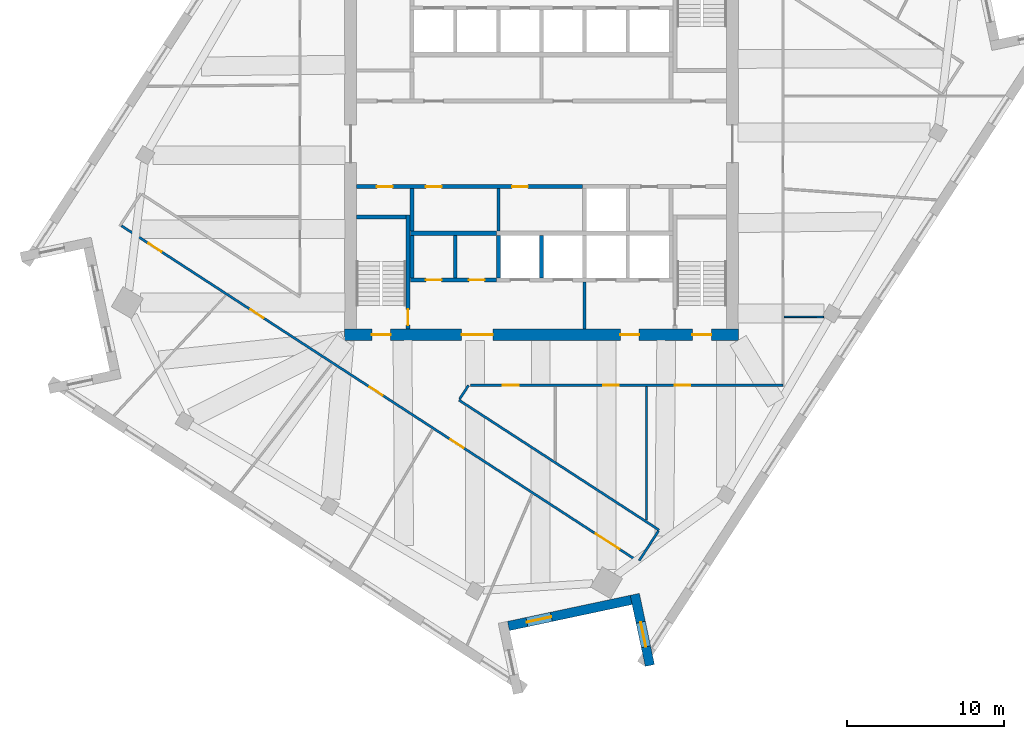
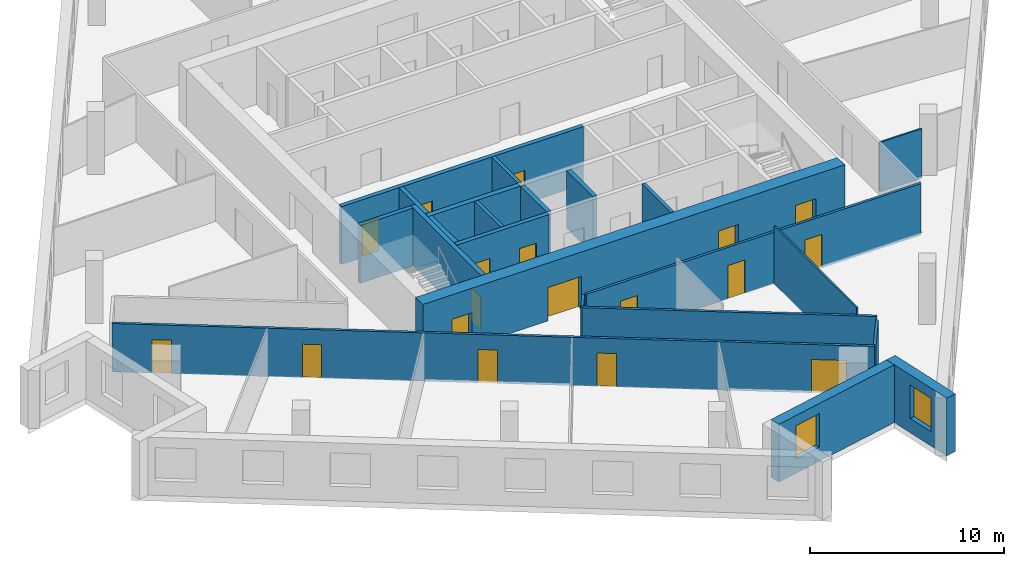
# One storey, part 6 of 12: 22 walls, 18 doors, 2 windows, 20 openings.
"""IFC4 building model written with IfcOpenShell, lengths in metres."""

import ifcopenshell
import ifcopenshell.guid

model = None  # the IFC model being written
_history = None  # IfcOwnerHistory: only IFC2X3 demands one
_inside = {}  # id of a spatial element -> (the spatial element, [elements in it])
_under = {}  # id of a project, library or spatial element -> (it, [spatial elements below it])
_declared = {}  # id of a project -> (the project, [libraries it declares])
_typed = {}  # id of a type object -> (the type object, [elements of that type])
_made_of = {}  # id of a material, layer set ... -> (it, [elements and type objects made of it])


def new_model(schema):
    """Start an empty IFC model of exactly this schema.

    Asked for "IFC4X3", IfcOpenShell would pick the latest addendum, in which some entities
    have other attributes; the version numbers below select the first issue.
    IFC2X3 requires an IfcOwnerHistory on every rooted entity: one is made here for all.
    """
    global model, _history
    if schema == "IFC4X3":
        model = ifcopenshell.file(schema_version=(4, 3, 0, 0))
    else:
        model = ifcopenshell.file(schema=schema)
    _inside.clear()
    _under.clear()
    _declared.clear()
    _typed.clear()
    _made_of.clear()
    _history = None
    if model.schema == "IFC2X3":
        org = make("IfcOrganization", Name="unknown")
        user = make(
            "IfcPersonAndOrganization",
            ThePerson=make("IfcPerson", FamilyName="unknown"),
            TheOrganization=org,
        )
        app = make(
            "IfcApplication",
            ApplicationDeveloper=org,
            Version="unknown",
            ApplicationFullName="unknown",
            ApplicationIdentifier="unknown",
        )
        _history = make(
            "IfcOwnerHistory",
            OwningUser=user,
            OwningApplication=app,
            ChangeAction="ADDED",
            CreationDate=0,
        )
    return model


def make(cls, **values):
    """One entity of the class cls with the attributes given. An attribute that is None is left unset."""
    return model.create_entity(
        cls, **{name: value for name, value in values.items() if value is not None}
    )


def rooted(cls, **values):
    """An entity with a GlobalId (a new one), such as an element, a storey or a relation."""
    return make(cls, GlobalId=ifcopenshell.guid.new(), OwnerHistory=_history, **values)


def si_unit(unit_type, name, prefix=None):
    """IfcSIUnit, for example si_unit("LENGTHUNIT", "METRE", prefix="MILLI")."""
    return make("IfcSIUnit", UnitType=unit_type, Prefix=prefix, Name=name)


def assignment(units):
    """IfcUnitAssignment: the units of a project."""
    return None if units is None else make("IfcUnitAssignment", Units=units)


def point(xyz):
    """IfcCartesianPoint."""
    return None if xyz is None else make("IfcCartesianPoint", Coordinates=xyz)


def direction(xyz):
    """IfcDirection."""
    return None if xyz is None else make("IfcDirection", DirectionRatios=xyz)


def frame(location, z_axis=None, x_axis=None):
    """IfcAxis2Placement3D, a coordinate frame: its origin and axes. An axis left out is left unset."""
    return make(
        "IfcAxis2Placement3D",
        Location=point(location),
        Axis=direction(z_axis),
        RefDirection=direction(x_axis),
    )


def frame_2d(location, x_axis=None):
    """IfcAxis2Placement2D, a coordinate frame in the plane: its origin and x axis."""
    return make(
        "IfcAxis2Placement2D", Location=point(location), RefDirection=direction(x_axis)
    )


def origin():
    """The frame at (0, 0, 0) with its axes left unset."""
    return frame((0.0, 0.0, 0.0))


def place(relative_to, where):
    """IfcLocalPlacement: puts the frame where relative to a parent placement (None: the world)."""
    return make(
        "IfcLocalPlacement", PlacementRelTo=relative_to, RelativePlacement=where
    )


def context(
    kind, dimensions, precision=None, world=None, true_north=None, identifier=None
):
    """IfcGeometricRepresentationContext, for example the 3D "Model" context."""
    return make(
        "IfcGeometricRepresentationContext",
        ContextIdentifier=identifier,
        ContextType=kind,
        CoordinateSpaceDimension=dimensions,
        Precision=precision,
        WorldCoordinateSystem=world,
        TrueNorth=true_north,
    )


def subcontext(parent, identifier, kind, view, scale=None):
    """IfcGeometricRepresentationSubContext, for example "Body" below "Model"."""
    return make(
        "IfcGeometricRepresentationSubContext",
        ContextIdentifier=identifier,
        ContextType=kind,
        ParentContext=parent,
        TargetScale=scale,
        TargetView=view,
    )


def project(units=None, contexts=None):
    """IfcProject with its units and contexts."""
    return rooted(
        "IfcProject",
        Name="project",
        RepresentationContexts=contexts,
        UnitsInContext=assignment(units),
    )


def spatial(cls, under=None, at=None, **own):
    """A site, building, storey or space (cls), placed at a placement, below another one or the project."""
    s = rooted(cls, ObjectPlacement=at, **own)
    if under is not None:
        _under.setdefault(under.id(), (under, []))[1].append(s)
    return s


def profile(cls, at=None, kind="AREA", **sizes):
    """A parametric profile (cls). Its sizes go by their IFC names, for example OverallWidth=200.0."""
    return make(cls, ProfileType=kind, Position=at, **sizes)


def rectangle(**sizes):
    """IfcRectangleProfileDef."""
    return profile("IfcRectangleProfileDef", **sizes)


def extrude(swept, where, along, depth):
    """IfcExtrudedAreaSolid: the profile swept, set in the frame where, extruded along a direction by depth."""
    return make(
        "IfcExtrudedAreaSolid",
        SweptArea=swept,
        Position=where,
        ExtrudedDirection=direction(along),
        Depth=depth,
    )


def shape(context_of_items, identifier, shape_type, items):
    """IfcShapeRepresentation: the items that make up one representation, for example the "Body"."""
    return make(
        "IfcShapeRepresentation",
        ContextOfItems=context_of_items,
        RepresentationIdentifier=identifier,
        RepresentationType=shape_type,
        Items=items,
    )


def material(Name=None, Category=None):
    """IfcMaterial."""
    return make("IfcMaterial", Name=Name, Category=Category)


def layer(
    of_material, thickness, ventilated=None, Name=None, Category=None, Priority=None
):
    """IfcMaterialLayer: one layer of a wall or slab, of a material (None: an air gap)."""
    return make(
        "IfcMaterialLayer",
        Material=of_material,
        LayerThickness=thickness,
        IsVentilated=ventilated,
        Name=Name,
        Category=Category,
        Priority=Priority,
    )


def layer_set(layers, Name=None):
    """IfcMaterialLayerSet."""
    return make("IfcMaterialLayerSet", MaterialLayers=layers, LayerSetName=Name)


def made_of(thing, what):
    """Note that an element or type object is made of a material, layer set ...; save() writes the relation."""
    if what is not None:
        _made_of.setdefault(what.id(), (what, []))[1].append(thing)
    return thing


def type_object(cls, material=None, **own):
    """A type object (cls), such as IfcWallType, which elements share."""
    return made_of(rooted(cls, **own), material)


def element(
    cls,
    number,
    at=None,
    inside=None,
    cuts=None,
    type_object=None,
    material=None,
    context=None,
    identifier="Body",
    shape_type=None,
    held_by="IfcProductDefinitionShape",
    body=None,
    shapes=None,
    **own,
):
    """One element of the class cls, such as IfcWall. Its Tag is "e" and its number.

    at: its placement. inside: the storey or other place that contains it. cuts: it is an
    opening in that element (IfcRelVoidsElement). A single representation is given by context,
    identifier, shape_type and body (its items); several are given by shapes. held_by: the class
    of the entity that holds the representations. save() writes the other relations.
    """
    e = rooted(cls, Tag="e%d" % number, ObjectPlacement=at, **own)
    if body is not None:
        shapes = [shape(context, identifier, shape_type, body)]
    if shapes is not None:
        e.Representation = make(held_by, Representations=shapes)
    if inside is not None:
        _inside.setdefault(inside.id(), (inside, []))[1].append(e)
    if cuts is not None:
        rooted(
            "IfcRelVoidsElement", RelatingBuildingElement=cuts, RelatedOpeningElement=e
        )
    if type_object is not None:
        _typed.setdefault(type_object.id(), (type_object, []))[1].append(e)
    return made_of(e, material)


def fill(opening, filler):
    """IfcRelFillsElement: the door or window that sits in an opening."""
    return rooted(
        "IfcRelFillsElement",
        RelatingOpeningElement=opening,
        RelatedBuildingElement=filler,
    )


def aggregate(whole, parts):
    """IfcRelAggregates: a whole, such as a stair, and the parts it consists of."""
    return rooted("IfcRelAggregates", RelatingObject=whole, RelatedObjects=parts)


def save(model, path):
    """Write the relations noted so far, then the file.

    IfcRelAggregates (storeys below a building ...), IfcRelContainedInSpatialStructure (elements
    in a storey), IfcRelDefinesByType, IfcRelAssociatesMaterial and IfcRelDeclares: one each for
    every whole, place, type object, material and project.
    """
    for whole, parts in _under.values():
        aggregate(whole, parts)
    for where, things in _inside.values():
        rooted(
            "IfcRelContainedInSpatialStructure",
            RelatedElements=things,
            RelatingStructure=where,
        )
    for kind, things in _typed.values():
        rooted("IfcRelDefinesByType", RelatedObjects=things, RelatingType=kind)
    for what, things in _made_of.values():
        rooted("IfcRelAssociatesMaterial", RelatedObjects=things, RelatingMaterial=what)
    for by, libraries in _declared.values():
        rooted("IfcRelDeclares", RelatingContext=by, RelatedDefinitions=libraries)
    model.write(path)


model = new_model("IFC4")

# Units and contexts
model_context = context("Model", 3, precision=1e-05, world=origin(), true_north=direction((0.0, 1.0)))
body_context = subcontext(model_context, "Body", "Model", "MODEL_VIEW")
ifc_project = project(units=[si_unit("LENGTHUNIT", "METRE"), si_unit("AREAUNIT", "SQUARE_METRE"), si_unit("VOLUMEUNIT", "CUBIC_METRE"), si_unit("PLANEANGLEUNIT", "RADIAN"), si_unit("MASSUNIT", "GRAM", prefix="KILO")], contexts=[model_context])

# Site, building, storey
site_placement = place(None, origin())
site = spatial("IfcSite", under=ifc_project, at=site_placement, CompositionType="ELEMENT")
building_placement = place(site_placement, origin())
building = spatial("IfcBuilding", under=site, at=building_placement, Name="Dilmun Exchange Tower", CompositionType="ELEMENT")
storey_placement = place(building_placement, frame((0.0, 0.0, 258.89990234375)))
storey = spatial("IfcBuildingStorey", under=building, at=storey_placement, Name="L61", CompositionType="ELEMENT", Elevation=258.89990234375)

# Walls
ifc_material_1 = material(Name="Concrete C40/50", Category="concrete")
ifc_layer_1 = layer(ifc_material_1, 0.199951171875)
ifc_layer_set_1 = layer_set([ifc_layer_1], Name="Concrete C40/50")
wall_type_1 = type_object("IfcWallType", Name="Core partition wall 200", PredefinedType="PARTITIONING", material=ifc_layer_set_1)
wall_1_placement = place(storey_placement, frame((2.75, -11.794921875, 0.0), z_axis=(0.0, 0.0, 1.0), x_axis=(0.0, 1.0, 0.0)))
element("IfcWall", 1, at=wall_1_placement, inside=storey, type_object=wall_type_1, Name="L61 core partition wall 01", PredefinedType="PARTITIONING", context=body_context, shape_type="SweptSolid", body=[
    extrude(rectangle(XDim=2.989990234375, YDim=0.199951171875, at=frame_2d((1.4951171875, 0.0))), origin(), (0.0, 0.0, 1.0), 3.64013671875),
])
for number, where, z_axis, x_axis, name in (
    (2, (-5.5, -8.544921875, 0.0), (0.0, 0.0, 1.0), (0.0, 1.0, 0.0), "L61 core partition wall 04"),
    (3, (-2.75, -5.544921875, 0.0), (0.0, 0.0, 1.0), (0.0, 1.0, 0.0), "L61 core partition wall 07"),
):
    element("IfcWall", number, at=place(storey_placement, frame(where, z_axis=z_axis, x_axis=x_axis)), inside=storey, type_object=wall_type_1, Name=name, PredefinedType="PARTITIONING", context=body_context, shape_type="SweptSolid", body=[
        extrude(rectangle(XDim=2.68994140625, YDim=0.199951171875, at=frame_2d((1.344970703125, 0.0))), origin(), (0.0, 0.0, 1.0), 3.64013671875),
    ])

# Wall, openings, doors
ifc_layer_2 = layer(ifc_material_1, 0.25)
ifc_layer_set_2 = layer_set([ifc_layer_2], Name="Concrete C40/50")
wall_type_2 = type_object("IfcWallType", Name="Core partition wall 250", PredefinedType="PARTITIONING", material=ifc_layer_set_2)
wall_2_placement = place(storey_placement, frame((-8.3701171875, -8.675048828125, 0.0), z_axis=(0.0, 0.0, 1.0), x_axis=(1.0, 0.0, 0.0)))
wall_2 = element("IfcWall", 4, at=wall_2_placement, inside=storey, type_object=wall_type_2, Name="L61 core partition wall 02", PredefinedType="PARTITIONING", context=body_context, shape_type="SweptSolid", body=[
    extrude(rectangle(XDim=5.490234375, YDim=0.25, at=frame_2d((2.7451171875, 0.0))), origin(), (0.0, 0.0, 1.0), 3.64013671875),
])
opening_1_placement = place(wall_2_placement, frame((0.9951171875, 0.0, 0.0)))
opening_1 = element("IfcOpeningElement", 5, at=opening_1_placement, cuts=wall_2, Name="Opening CD4", PredefinedType="OPENING", context=body_context, shape_type="SweptSolid", body=[
    extrude(rectangle(XDim=1.0, YDim=2.10009765625, at=frame_2d((0.5, 1.050048828125))), frame((0.0, 0.135009765625, 0.0), z_axis=(0.0, -1.0, 0.0), x_axis=(1.0, 0.0, 0.0)), (0.0, 0.0, 1.0), 0.27001953125),
])
opening_2_placement = place(wall_2_placement, frame((3.7451171875, 0.0, 0.0)))
opening_2 = element("IfcOpeningElement", 6, at=opening_2_placement, cuts=wall_2, Name="Opening CD4", PredefinedType="OPENING", context=body_context, shape_type="SweptSolid", body=[
    extrude(rectangle(XDim=1.0, YDim=2.10009765625, at=frame_2d((0.5, 1.050048828125))), frame((0.0, 0.135009765625, 0.0), z_axis=(0.0, -1.0, 0.0), x_axis=(1.0, 0.0, 0.0)), (0.0, 0.0, 1.0), 0.27001953125),
])
ifc_material_2 = material(Name="Fire-rated steel door set", Category="steel")
door_type_1 = type_object("IfcDoorType", Name="Core room door 1000x2100", OperationType="SINGLE_SWING_LEFT", PredefinedType="DOOR", material=ifc_material_2)
door_1_placement = place(opening_1_placement, origin())
door_1 = element("IfcDoor", 7, at=door_1_placement, inside=storey, type_object=door_type_1, Name="L61 door Male WC", OperationType="SINGLE_SWING_RIGHT", OverallHeight=2.10009765625, OverallWidth=1.0, PredefinedType="DOOR", context=body_context, shape_type="SweptSolid", body=[
    extrude(rectangle(XDim=1.0, YDim=2.10009765625, at=frame_2d((0.5, 1.050048828125))), frame((0.0, 0.02490234375, 0.0), z_axis=(0.0, -1.0, 0.0), x_axis=(1.0, 0.0, 0.0)), (0.0, 0.0, 1.0), 0.050048828125),
])
fill(opening_1, door_1)
door_2_placement = place(opening_2_placement, origin())
door_2 = element("IfcDoor", 8, at=door_2_placement, inside=storey, type_object=door_type_1, Name="L61 door Female WC", OperationType="SINGLE_SWING_RIGHT", OverallHeight=2.10009765625, OverallWidth=1.0, PredefinedType="DOOR", context=body_context, shape_type="SweptSolid", body=[
    extrude(rectangle(XDim=1.0, YDim=2.10009765625, at=frame_2d((0.5, 1.050048828125))), frame((0.0, 0.02490234375, 0.0), z_axis=(0.0, -1.0, 0.0), x_axis=(1.0, 0.0, 0.0)), (0.0, 0.0, 1.0), 0.050048828125),
])
fill(opening_2, door_2)

# Walls
for number, where, z_axis, x_axis, name in (
    (9, (-8.25, -8.544921875, 0.0), (0.0, 0.0, 1.0), (0.0, 1.0, 0.0), "L61 core partition wall 03"),
    (10, (-8.25, -5.544921875, 0.0), (0.0, 0.0, 1.0), (0.0, 1.0, 0.0), "L61 core partition wall 06"),
):
    element("IfcWall", number, at=place(storey_placement, frame(where, z_axis=z_axis, x_axis=x_axis)), inside=storey, type_object=wall_type_2, Name=name, PredefinedType="PARTITIONING", context=body_context, shape_type="SweptSolid", body=[
        extrude(rectangle(XDim=2.68994140625, YDim=0.25, at=frame_2d((1.344970703125, 0.0))), origin(), (0.0, 0.0, 1.0), 3.64013671875),
    ])

# Wall, openings, doors
wall_3_placement = place(storey_placement, frame((-11.794921875, -2.72509765625, 0.0), z_axis=(0.0, 0.0, 1.0), x_axis=(1.0, 0.0, 0.0)))
wall_3 = element("IfcWall", 11, at=wall_3_placement, inside=storey, type_object=wall_type_2, Name="L61 core partition wall 09", PredefinedType="PARTITIONING", context=body_context, shape_type="SweptSolid", body=[
    extrude(rectangle(XDim=14.4150390625, YDim=0.25, at=frame_2d((7.20751953125, 0.0))), origin(), (0.0, 0.0, 1.0), 3.64013671875),
])
opening_3_placement = place(wall_3_placement, frame((1.294921875, 0.0, 0.0)))
opening_3 = element("IfcOpeningElement", 12, at=opening_3_placement, cuts=wall_3, Name="Opening CD4", PredefinedType="OPENING", context=body_context, shape_type="SweptSolid", body=[
    extrude(rectangle(XDim=1.0, YDim=2.10009765625, at=frame_2d((0.5, 1.050048828125))), frame((0.0, 0.135009765625, 0.0), z_axis=(0.0, -1.0, 0.0), x_axis=(1.0, 0.0, 0.0)), (0.0, 0.0, 1.0), 0.27001953125),
])
opening_4_placement = place(wall_3_placement, frame((4.419921875, 0.0, 0.0)))
opening_4 = element("IfcOpeningElement", 13, at=opening_4_placement, cuts=wall_3, Name="Opening CD4", PredefinedType="OPENING", context=body_context, shape_type="SweptSolid", body=[
    extrude(rectangle(XDim=1.0, YDim=2.10009765625, at=frame_2d((0.5, 1.050048828125))), frame((0.0, 0.135009765625, 0.0), z_axis=(0.0, -1.0, 0.0), x_axis=(1.0, 0.0, 0.0)), (0.0, 0.0, 1.0), 0.27001953125),
])
opening_5_placement = place(wall_3_placement, frame((9.919921875, 0.0, 0.0)))
opening_5 = element("IfcOpeningElement", 14, at=opening_5_placement, cuts=wall_3, Name="Opening CD4", PredefinedType="OPENING", context=body_context, shape_type="SweptSolid", body=[
    extrude(rectangle(XDim=1.0, YDim=2.10009765625, at=frame_2d((0.5, 1.050048828125))), frame((0.0, 0.135009765625, 0.0), z_axis=(0.0, -1.0, 0.0), x_axis=(1.0, 0.0, 0.0)), (0.0, 0.0, 1.0), 0.27001953125),
])
door_3_placement = place(opening_3_placement, origin())
door_3 = element("IfcDoor", 15, at=door_3_placement, inside=storey, type_object=door_type_1, Name="L61 door Accessible WC", OperationType="SINGLE_SWING_RIGHT", OverallHeight=2.10009765625, OverallWidth=1.0, PredefinedType="DOOR", context=body_context, shape_type="SweptSolid", body=[
    extrude(rectangle(XDim=1.0, YDim=2.10009765625, at=frame_2d((0.5, 1.050048828125))), frame((0.0, 0.02490234375, 0.0), z_axis=(0.0, -1.0, 0.0), x_axis=(1.0, 0.0, 0.0)), (0.0, 0.0, 1.0), 0.050048828125),
])
fill(opening_3, door_3)
door_4_placement = place(opening_4_placement, origin())
door_4 = element("IfcDoor", 16, at=door_4_placement, inside=storey, type_object=door_type_1, Name="L61 door Print and mail room", OperationType="SINGLE_SWING_RIGHT", OverallHeight=2.10009765625, OverallWidth=1.0, PredefinedType="DOOR", context=body_context, shape_type="SweptSolid", body=[
    extrude(rectangle(XDim=1.0, YDim=2.10009765625, at=frame_2d((0.5, 1.050048828125))), frame((0.0, 0.02490234375, 0.0), z_axis=(0.0, -1.0, 0.0), x_axis=(1.0, 0.0, 0.0)), (0.0, 0.0, 1.0), 0.050048828125),
])
fill(opening_4, door_4)
door_5_placement = place(opening_5_placement, origin())
door_5 = element("IfcDoor", 17, at=door_5_placement, inside=storey, type_object=door_type_1, Name="L61 door Mechanical room", OperationType="SINGLE_SWING_RIGHT", OverallHeight=2.10009765625, OverallWidth=1.0, PredefinedType="DOOR", context=body_context, shape_type="SweptSolid", body=[
    extrude(rectangle(XDim=1.0, YDim=2.10009765625, at=frame_2d((0.5, 1.050048828125))), frame((0.0, 0.02490234375, 0.0), z_axis=(0.0, -1.0, 0.0), x_axis=(1.0, 0.0, 0.0)), (0.0, 0.0, 1.0), 0.050048828125),
])
fill(opening_5, door_5)

# Wall
ifc_layer_3 = layer(ifc_material_1, 0.300048828125)
ifc_layer_set_3 = layer_set([ifc_layer_3], Name="Concrete C40/50")
wall_type_3 = type_object("IfcWallType", Name="Core partition wall 300", PredefinedType="PARTITIONING", material=ifc_layer_set_3)
wall_4_placement = place(storey_placement, frame((-8.35009765625, -5.699951171875, 0.0), z_axis=(0.0, 0.0, 1.0), x_axis=(1.0, 0.0, 0.0)))
element("IfcWall", 18, at=wall_4_placement, inside=storey, type_object=wall_type_3, Name="L61 core partition wall 05", PredefinedType="PARTITIONING", context=body_context, shape_type="SweptSolid", body=[
    extrude(rectangle(XDim=5.47021484375, YDim=0.300048828125, at=frame_2d((2.735107421875, 0.0))), origin(), (0.0, 0.0, 1.0), 3.64013671875),
])

# Wall, openings, doors
ifc_material_3 = material(Name="Concrete C50/60", Category="concrete")
ifc_layer_4 = layer(ifc_material_3, 0.75)
ifc_layer_set_4 = layer_set([ifc_layer_4], Name="Concrete C50/60")
wall_type_4 = type_object("IfcWallType", Name="Core shear wall 750 Concrete C50/60", PredefinedType="SHEAR", material=ifc_layer_set_4)
wall_5_placement = place(storey_placement, frame((-12.550048828125, -12.175048828125, 0.0), z_axis=(0.0, 0.0, 1.0), x_axis=(1.0, 0.0, 0.0)))
wall_5 = element("IfcWall", 19, at=wall_5_placement, inside=storey, type_object=wall_type_4, Name="L61 core shear wall S", PredefinedType="SHEAR", context=body_context, shape_type="SweptSolid", body=[
    extrude(rectangle(XDim=25.10009765625, YDim=0.75, at=frame_2d((12.550048828125, 0.0))), origin(), (0.0, 0.0, 1.0), 3.64013671875),
])
opening_6_placement = place(wall_5_placement, frame((7.449951171875, 0.0, 0.0)))
opening_6 = element("IfcOpeningElement", 20, at=opening_6_placement, cuts=wall_5, Name="Opening CD2", PredefinedType="OPENING", context=body_context, shape_type="SweptSolid", body=[
    extrude(rectangle(XDim=2.0, YDim=2.10009765625, at=frame_2d((1.0, 1.050048828125))), frame((0.0, 0.385009765625, 0.0), z_axis=(0.0, -1.0, 0.0), x_axis=(1.0, 0.0, 0.0)), (0.0, 0.0, 1.0), 0.77001953125),
])
opening_7_placement = place(wall_5_placement, frame((17.574951171875, 0.0, 0.0)))
opening_7 = element("IfcOpeningElement", 21, at=opening_7_placement, cuts=wall_5, Name="Opening CD3", PredefinedType="OPENING", context=body_context, shape_type="SweptSolid", body=[
    extrude(rectangle(XDim=1.199951171875, YDim=2.10009765625, at=frame_2d((0.60009765625, 1.050048828125))), frame((0.0, 0.385009765625, 0.0), z_axis=(0.0, -1.0, 0.0), x_axis=(1.0, 0.0, 0.0)), (0.0, 0.0, 1.0), 0.77001953125),
])
opening_8_placement = place(wall_5_placement, frame((1.72509765625, 0.0, 0.0)))
opening_8 = element("IfcOpeningElement", 22, at=opening_8_placement, cuts=wall_5, Name="Opening CD3", PredefinedType="OPENING", context=body_context, shape_type="SweptSolid", body=[
    extrude(rectangle(XDim=1.199951171875, YDim=2.10009765625, at=frame_2d((0.60009765625, 1.050048828125))), frame((0.0, 0.385009765625, 0.0), z_axis=(0.0, -1.0, 0.0), x_axis=(1.0, 0.0, 0.0)), (0.0, 0.0, 1.0), 0.77001953125),
])
opening_9_placement = place(wall_5_placement, frame((22.175048828125, 0.0, 0.0)))
opening_9 = element("IfcOpeningElement", 23, at=opening_9_placement, cuts=wall_5, Name="Opening CD3", PredefinedType="OPENING", context=body_context, shape_type="SweptSolid", body=[
    extrude(rectangle(XDim=1.199951171875, YDim=2.10009765625, at=frame_2d((0.60009765625, 1.050048828125))), frame((0.0, 0.385009765625, 0.0), z_axis=(0.0, -1.0, 0.0), x_axis=(1.0, 0.0, 0.0)), (0.0, 0.0, 1.0), 0.77001953125),
])
door_type_2 = type_object("IfcDoorType", Name="Core service door 2000x2100", OperationType="DOUBLE_DOOR_DOUBLE_SWING", PredefinedType="DOOR", material=ifc_material_2)
door_6_placement = place(opening_6_placement, origin())
door_6 = element("IfcDoor", 24, at=door_6_placement, inside=storey, type_object=door_type_2, Name="L61 door South service lobby", OperationType="SINGLE_SWING_LEFT", OverallHeight=2.10009765625, OverallWidth=2.0, PredefinedType="DOOR", context=body_context, shape_type="SweptSolid", body=[
    extrude(rectangle(XDim=2.0, YDim=2.10009765625, at=frame_2d((1.0, 1.050048828125))), frame((0.0, 0.02490234375, 0.0), z_axis=(0.0, -1.0, 0.0), x_axis=(1.0, 0.0, 0.0)), (0.0, 0.0, 1.0), 0.050048828125),
])
fill(opening_6, door_6)
door_type_3 = type_object("IfcDoorType", Name="Stair exit door 1200x2100", OperationType="SINGLE_SWING_LEFT", PredefinedType="DOOR", material=ifc_material_2)
door_7_placement = place(opening_7_placement, origin())
door_7 = element("IfcDoor", 25, at=door_7_placement, inside=storey, type_object=door_type_3, Name="L61 door Fire-fighting lobby", OperationType="SINGLE_SWING_LEFT", OverallHeight=2.10009765625, OverallWidth=1.199951171875, PredefinedType="DOOR", context=body_context, shape_type="SweptSolid", body=[
    extrude(rectangle(XDim=1.199951171875, YDim=2.10009765625, at=frame_2d((0.60009765625, 1.050048828125))), frame((0.0, 0.02490234375, 0.0), z_axis=(0.0, -1.0, 0.0), x_axis=(1.0, 0.0, 0.0)), (0.0, 0.0, 1.0), 0.050048828125),
])
fill(opening_7, door_7)
door_8_placement = place(opening_8_placement, origin())
door_8 = element("IfcDoor", 26, at=door_8_placement, inside=storey, type_object=door_type_3, Name="L61 door Stair ST2", OperationType="SINGLE_SWING_LEFT", OverallHeight=2.10009765625, OverallWidth=1.199951171875, PredefinedType="DOOR", context=body_context, shape_type="SweptSolid", body=[
    extrude(rectangle(XDim=1.199951171875, YDim=2.10009765625, at=frame_2d((0.60009765625, 1.050048828125))), frame((0.0, 0.02490234375, 0.0), z_axis=(0.0, -1.0, 0.0), x_axis=(1.0, 0.0, 0.0)), (0.0, 0.0, 1.0), 0.050048828125),
])
fill(opening_8, door_8)
door_9_placement = place(opening_9_placement, origin())
door_9 = element("IfcDoor", 27, at=door_9_placement, inside=storey, type_object=door_type_3, Name="L61 door Stair ST3", OperationType="SINGLE_SWING_LEFT", OverallHeight=2.10009765625, OverallWidth=1.199951171875, PredefinedType="DOOR", context=body_context, shape_type="SweptSolid", body=[
    extrude(rectangle(XDim=1.199951171875, YDim=2.10009765625, at=frame_2d((0.60009765625, 1.050048828125))), frame((0.0, 0.02490234375, 0.0), z_axis=(0.0, -1.0, 0.0), x_axis=(1.0, 0.0, 0.0)), (0.0, 0.0, 1.0), 0.050048828125),
])
fill(opening_9, door_9)

ifc_material_4 = material(Name="Corridor wall 150")
ifc_layer_5 = layer(ifc_material_4, 0.14990234375)
ifc_layer_set_5 = layer_set([ifc_layer_5], Name="Corridor wall 150")
wall_type_5 = type_object("IfcWallType", Name="Corridor wall 150", PredefinedType="PARTITIONING", material=ifc_layer_set_5)
wall_6_placement = place(storey_placement, frame((-26.791015625, -5.220947265625, 0.0), z_axis=(0.0, 0.0, 1.0), x_axis=(0.838671905754, -0.544636974965, 0.0)))
wall_6 = element("IfcWall", 28, at=wall_6_placement, inside=storey, type_object=wall_type_5, Name="Corridor wall", PredefinedType="PARTITIONING", context=body_context, shape_type="SweptSolid", body=[
    extrude(rectangle(XDim=39.3251953125, YDim=0.14990234375, at=frame_2d((19.66259765625, 0.0))), origin(), (0.0, 0.0, 1.0), 3.0400390625),
])
opening_10_placement = place(wall_6_placement, frame((2.050048828125, 0.0, 0.0)))
opening_10 = element("IfcOpeningElement", 29, at=opening_10_placement, cuts=wall_6, Name="Opening TF60-D02", PredefinedType="OPENING", context=body_context, shape_type="SweptSolid", body=[
    extrude(rectangle(XDim=1.0, YDim=2.10009765625, at=frame_2d((0.5, 1.050048828125))), frame((0.0, 0.0849609375, 0.0), z_axis=(0.0, -1.0, 0.0), x_axis=(1.0, 0.0, 0.0)), (0.0, 0.0, 1.0), 0.169921875),
])
opening_11_placement = place(wall_6_placement, frame((9.807373046875, 0.0, 0.0)))
opening_11 = element("IfcOpeningElement", 30, at=opening_11_placement, cuts=wall_6, Name="Opening TF60-D03", PredefinedType="OPENING", context=body_context, shape_type="SweptSolid", body=[
    extrude(rectangle(XDim=1.0, YDim=2.10009765625, at=frame_2d((0.5, 1.050048828125))), frame((0.0, 0.0849609375, 0.0), z_axis=(0.0, -1.0, 0.0), x_axis=(1.0, 0.0, 0.0)), (0.0, 0.0, 1.0), 0.169921875),
])
opening_12_placement = place(wall_6_placement, frame((18.865966796875, 0.0, 0.0)))
opening_12 = element("IfcOpeningElement", 31, at=opening_12_placement, cuts=wall_6, Name="Opening TF60-D06", PredefinedType="OPENING", context=body_context, shape_type="SweptSolid", body=[
    extrude(rectangle(XDim=1.0, YDim=2.10009765625, at=frame_2d((0.5, 1.050048828125))), frame((0.0, 0.0849609375, 0.0), z_axis=(0.0, -1.0, 0.0), x_axis=(1.0, 0.0, 0.0)), (0.0, 0.0, 1.0), 0.169921875),
])
opening_13_placement = place(wall_6_placement, frame((25.009033203125, 0.0, 0.0)))
opening_13 = element("IfcOpeningElement", 32, at=opening_13_placement, cuts=wall_6, Name="Opening TF60-D07", PredefinedType="OPENING", context=body_context, shape_type="SweptSolid", body=[
    extrude(rectangle(XDim=1.0, YDim=2.10009765625, at=frame_2d((0.5, 1.050048828125))), frame((0.0, 0.0849609375, 0.0), z_axis=(0.0, -1.0, 0.0), x_axis=(1.0, 0.0, 0.0)), (0.0, 0.0, 1.0), 0.169921875),
])
opening_14_placement = place(wall_6_placement, frame((36.068603515625, 0.0, 0.0)))
opening_14 = element("IfcOpeningElement", 33, at=opening_14_placement, cuts=wall_6, Name="Opening TF60-D14", PredefinedType="OPENING", context=body_context, shape_type="SweptSolid", body=[
    extrude(rectangle(XDim=1.800048828125, YDim=2.10009765625, at=frame_2d((0.89990234375, 1.050048828125))), frame((0.0, 0.0849609375, 0.0), z_axis=(0.0, -1.0, 0.0), x_axis=(1.0, 0.0, 0.0)), (0.0, 0.0, 1.0), 0.169921875),
])
ifc_material_5 = material(Name="Fire door 1000 x 2100")
door_type_4 = type_object("IfcDoorType", Name="Fire door 1000 x 2100", OperationType="NOTDEFINED", PredefinedType="DOOR", material=ifc_material_5)
door_10_placement = place(opening_10_placement, frame((1.0, 0.0, 0.0), z_axis=(0.0, 0.0, 1.0), x_axis=(-1.0, 0.0, 0.0)))
door_10 = element("IfcDoor", 34, at=door_10_placement, inside=storey, type_object=door_type_4, Name="Door TF60-D02", OperationType="SINGLE_SWING_LEFT", OverallHeight=2.10009765625, OverallWidth=1.0, PredefinedType="DOOR", context=body_context, shape_type="SweptSolid", body=[
    extrude(rectangle(XDim=1.0, YDim=2.10009765625, at=frame_2d((0.5, 1.050048828125))), frame((0.0, 0.02490234375, 0.0), z_axis=(0.0, -1.0, 0.0), x_axis=(1.0, 0.0, 0.0)), (0.0, 0.0, 1.0), 0.050048828125),
])
fill(opening_10, door_10)
door_11_placement = place(opening_11_placement, frame((1.0, 0.0, 0.0), z_axis=(0.0, 0.0, 1.0), x_axis=(-1.0, 0.0, 0.0)))
door_11 = element("IfcDoor", 35, at=door_11_placement, inside=storey, type_object=door_type_4, Name="Door TF60-D03", OperationType="SINGLE_SWING_LEFT", OverallHeight=2.10009765625, OverallWidth=1.0, PredefinedType="DOOR", context=body_context, shape_type="SweptSolid", body=[
    extrude(rectangle(XDim=1.0, YDim=2.10009765625, at=frame_2d((0.5, 1.050048828125))), frame((0.0, 0.02490234375, 0.0), z_axis=(0.0, -1.0, 0.0), x_axis=(1.0, 0.0, 0.0)), (0.0, 0.0, 1.0), 0.050048828125),
])
fill(opening_11, door_11)
door_12_placement = place(opening_12_placement, frame((1.0, 0.0, 0.0), z_axis=(0.0, 0.0, 1.0), x_axis=(-1.0, 0.0, 0.0)))
door_12 = element("IfcDoor", 36, at=door_12_placement, inside=storey, type_object=door_type_4, Name="Door TF60-D06", OperationType="SINGLE_SWING_RIGHT", OverallHeight=2.10009765625, OverallWidth=1.0, PredefinedType="DOOR", context=body_context, shape_type="SweptSolid", body=[
    extrude(rectangle(XDim=1.0, YDim=2.10009765625, at=frame_2d((0.5, 1.050048828125))), frame((0.0, 0.02490234375, 0.0), z_axis=(0.0, -1.0, 0.0), x_axis=(1.0, 0.0, 0.0)), (0.0, 0.0, 1.0), 0.050048828125),
])
fill(opening_12, door_12)
door_13_placement = place(opening_13_placement, frame((1.0, 0.0, 0.0), z_axis=(0.0, 0.0, 1.0), x_axis=(-1.0, 0.0, 0.0)))
door_13 = element("IfcDoor", 37, at=door_13_placement, inside=storey, type_object=door_type_4, Name="Door TF60-D07", OperationType="SINGLE_SWING_RIGHT", OverallHeight=2.10009765625, OverallWidth=1.0, PredefinedType="DOOR", context=body_context, shape_type="SweptSolid", body=[
    extrude(rectangle(XDim=1.0, YDim=2.10009765625, at=frame_2d((0.5, 1.050048828125))), frame((0.0, 0.02490234375, 0.0), z_axis=(0.0, -1.0, 0.0), x_axis=(1.0, 0.0, 0.0)), (0.0, 0.0, 1.0), 0.050048828125),
])
fill(opening_13, door_13)
ifc_material_6 = material(Name="Fire door pair 1800 x 2100")
door_type_5 = type_object("IfcDoorType", Name="Fire door pair 1800 x 2100", OperationType="NOTDEFINED", PredefinedType="DOOR", material=ifc_material_6)
door_14_placement = place(opening_14_placement, frame((1.800048828125, 0.0, 0.0), z_axis=(0.0, 0.0, 1.0), x_axis=(-1.0, 0.0, 0.0)))
door_14 = element("IfcDoor", 38, at=door_14_placement, inside=storey, type_object=door_type_5, Name="Door TF60-D14", OperationType="DOUBLE_DOOR_SINGLE_SWING", OverallHeight=2.10009765625, OverallWidth=1.800048828125, PredefinedType="DOOR", context=body_context, shape_type="SweptSolid", body=[
    extrude(rectangle(XDim=1.800048828125, YDim=2.10009765625, at=frame_2d((0.89990234375, 1.050048828125))), frame((0.0, 0.02490234375, 0.0), z_axis=(0.0, -1.0, 0.0), x_axis=(1.0, 0.0, 0.0)), (0.0, 0.0, 1.0), 0.050048828125),
])
fill(opening_14, door_14)

# Walls
wall_7_placement = place(storey_placement, frame((-5.264892578125, -16.339111328125, 0.0), z_axis=(0.0, 0.0, 1.0), x_axis=(0.838696093785, -0.544599726653, 0.0)))
element("IfcWall", 39, at=wall_7_placement, inside=storey, type_object=wall_type_5, Name="Corridor wall", PredefinedType="PARTITIONING", context=body_context, shape_type="SweptSolid", body=[
    extrude(rectangle(XDim=15.216552734375, YDim=0.14990234375, at=frame_2d((7.6083984375, 0.0))), origin(), (0.0, 0.0, 1.0), 3.239990234375),
])
wall_8_placement = place(storey_placement, frame((-5.22412109375, -16.276123046875, 0.0), z_axis=(0.0, 0.0, 1.0), x_axis=(0.544684420792, 0.838641092331, 0.0)))
element("IfcWall", 40, at=wall_8_placement, inside=storey, type_object=wall_type_5, Name="Corridor wall", PredefinedType="PARTITIONING", context=body_context, shape_type="SweptSolid", body=[
    extrude(rectangle(XDim=1.044921875, YDim=0.14990234375, at=frame_2d((0.5224609375, 0.0))), origin(), (0.0, 0.0, 1.0), 3.239990234375),
])

# Wall, openings, doors
wall_9_placement = place(storey_placement, frame((-4.516845703125, -15.39990234375, 0.0), z_axis=(0.0, 0.0, 1.0), x_axis=(1.0, 0.0, 0.0)))
wall_9 = element("IfcWall", 41, at=wall_9_placement, inside=storey, type_object=wall_type_5, Name="Corridor wall", PredefinedType="PARTITIONING", context=body_context, shape_type="SweptSolid", body=[
    extrude(rectangle(XDim=19.916748046875, YDim=0.14990234375, at=frame_2d((9.95849609375, 0.0))), origin(), (0.0, 0.0, 1.0), 3.239990234375),
])
opening_15_placement = place(wall_9_placement, frame((2.050048828125, 0.0, 0.0)))
opening_15 = element("IfcOpeningElement", 42, at=opening_15_placement, cuts=wall_9, Name="Opening TF60-D11", PredefinedType="OPENING", context=body_context, shape_type="SweptSolid", body=[
    extrude(rectangle(XDim=1.0, YDim=2.10009765625, at=frame_2d((0.5, 1.050048828125))), frame((0.0, 0.0849609375, 0.0), z_axis=(0.0, -1.0, 0.0), x_axis=(1.0, 0.0, 0.0)), (0.0, 0.0, 1.0), 0.169921875),
])
opening_16_placement = place(wall_9_placement, frame((8.444091796875, 0.0, 0.0)))
opening_16 = element("IfcOpeningElement", 43, at=opening_16_placement, cuts=wall_9, Name="Opening TF60-D13", PredefinedType="OPENING", context=body_context, shape_type="SweptSolid", body=[
    extrude(rectangle(XDim=1.0, YDim=2.10009765625, at=frame_2d((0.5, 1.050048828125))), frame((0.0, 0.0849609375, 0.0), z_axis=(0.0, -1.0, 0.0), x_axis=(1.0, 0.0, 0.0)), (0.0, 0.0, 1.0), 0.169921875),
])
opening_17_placement = place(wall_9_placement, frame((13.013916015625, 0.0, 0.0)))
opening_17 = element("IfcOpeningElement", 44, at=opening_17_placement, cuts=wall_9, Name="Opening TF60-D15", PredefinedType="OPENING", context=body_context, shape_type="SweptSolid", body=[
    extrude(rectangle(XDim=1.0, YDim=2.10009765625, at=frame_2d((0.5, 1.050048828125))), frame((0.0, 0.0849609375, 0.0), z_axis=(0.0, -1.0, 0.0), x_axis=(1.0, 0.0, 0.0)), (0.0, 0.0, 1.0), 0.169921875),
])
door_15_placement = place(opening_15_placement, frame((1.0, 0.0, 0.0), z_axis=(0.0, 0.0, 1.0), x_axis=(-1.0, 0.0, 0.0)))
door_15 = element("IfcDoor", 45, at=door_15_placement, inside=storey, type_object=door_type_4, Name="Door TF60-D11", OperationType="SINGLE_SWING_RIGHT", OverallHeight=2.10009765625, OverallWidth=1.0, PredefinedType="DOOR", context=body_context, shape_type="SweptSolid", body=[
    extrude(rectangle(XDim=1.0, YDim=2.10009765625, at=frame_2d((0.5, 1.050048828125))), frame((0.0, 0.02490234375, 0.0), z_axis=(0.0, -1.0, 0.0), x_axis=(1.0, 0.0, 0.0)), (0.0, 0.0, 1.0), 0.050048828125),
])
fill(opening_15, door_15)
door_16_placement = place(opening_16_placement, frame((1.0, 0.0, 0.0), z_axis=(0.0, 0.0, 1.0), x_axis=(-1.0, 0.0, 0.0)))
door_16 = element("IfcDoor", 46, at=door_16_placement, inside=storey, type_object=door_type_4, Name="Door TF60-D13", OperationType="SINGLE_SWING_LEFT", OverallHeight=2.10009765625, OverallWidth=1.0, PredefinedType="DOOR", context=body_context, shape_type="SweptSolid", body=[
    extrude(rectangle(XDim=1.0, YDim=2.10009765625, at=frame_2d((0.5, 1.050048828125))), frame((0.0, 0.02490234375, 0.0), z_axis=(0.0, -1.0, 0.0), x_axis=(1.0, 0.0, 0.0)), (0.0, 0.0, 1.0), 0.050048828125),
])
fill(opening_16, door_16)
door_17_placement = place(opening_17_placement, frame((1.0, 0.0, 0.0), z_axis=(0.0, 0.0, 1.0), x_axis=(-1.0, 0.0, 0.0)))
door_17 = element("IfcDoor", 47, at=door_17_placement, inside=storey, type_object=door_type_4, Name="Door TF60-D15", OperationType="SINGLE_SWING_LEFT", OverallHeight=2.10009765625, OverallWidth=1.0, PredefinedType="DOOR", context=body_context, shape_type="SweptSolid", body=[
    extrude(rectangle(XDim=1.0, YDim=2.10009765625, at=frame_2d((0.5, 1.050048828125))), frame((0.0, 0.02490234375, 0.0), z_axis=(0.0, -1.0, 0.0), x_axis=(1.0, 0.0, 0.0)), (0.0, 0.0, 1.0), 0.050048828125),
])
fill(opening_17, door_17)

# Walls
wall_10_placement = place(storey_placement, frame((6.230712890625, -26.576171875, 0.0), z_axis=(0.0, 0.0, 1.0), x_axis=(0.54464508689, 0.838666637781, 0.0)))
element("IfcWall", 48, at=wall_10_placement, inside=storey, type_object=wall_type_5, Name="Corridor wall", PredefinedType="PARTITIONING", context=body_context, shape_type="SweptSolid", body=[
    extrude(rectangle(XDim=2.250244140625, YDim=0.14990234375, at=frame_2d((1.125, 0.0))), origin(), (0.0, 0.0, 1.0), 3.0400390625),
])
ifc_layer_6 = layer(ifc_material_1, 0.25)
ifc_layer_set_6 = layer_set([ifc_layer_6], Name="Concrete C40/50")
wall_type_6 = type_object("IfcWallType", Name="Lift shaft wall 250", PredefinedType="SOLIDWALL", material=ifc_layer_set_6)
for number, where, z_axis, x_axis, name in (
    (49, (-2.75, -8.550048828125, 0.0), (0.0, 0.0, 1.0), (0.0, 1.0, 0.0), "L61 lift shaft divider S22"),
    (50, (0.0, -8.550048828125, 0.0), (0.0, 0.0, 1.0), (0.0, 1.0, 0.0), "L61 lift shaft divider S23"),
):
    element("IfcWall", number, at=place(storey_placement, frame(where, z_axis=z_axis, x_axis=x_axis)), inside=storey, type_object=wall_type_6, Name=name, PredefinedType="SOLIDWALL", context=body_context, shape_type="SweptSolid", body=[
        extrude(rectangle(XDim=2.699951171875, YDim=0.25, at=frame_2d((1.35009765625, 0.0))), origin(), (0.0, 0.0, 1.0), 3.64013671875),
    ])
ifc_material_7 = material(Name="Partition 100")
ifc_layer_7 = layer(ifc_material_7, 0.10009765625)
ifc_layer_set_7 = layer_set([ifc_layer_7], Name="Partition 100")
wall_type_7 = type_object("IfcWallType", Name="Partition 100", PredefinedType="PARTITIONING", material=ifc_layer_set_7)
wall_11_placement = place(storey_placement, frame((6.697021484375, -23.984130859375, 0.0), z_axis=(0.0, 0.0, 1.0), x_axis=(0.0, 1.0, 0.0)))
element("IfcWall", 51, at=wall_11_placement, inside=storey, type_object=wall_type_7, Name="Partition", PredefinedType="PARTITIONING", context=body_context, shape_type="SweptSolid", body=[
    extrude(rectangle(XDim=8.509033203125, YDim=0.10009765625, at=frame_2d((4.25439453125, 0.0))), origin(), (0.0, 0.0, 1.0), 3.64013671875),
])
wall_12_placement = place(storey_placement, frame((15.47509765625, -11.0283203125, 0.0), z_axis=(0.0, 0.0, 1.0), x_axis=(0.999991302711, -0.004170671777, 0.0)))
element("IfcWall", 52, at=wall_12_placement, inside=storey, type_object=wall_type_7, Name="Partition", PredefinedType="PARTITIONING", context=body_context, shape_type="SweptSolid", body=[
    extrude(rectangle(XDim=2.51708984375, YDim=0.10009765625, at=frame_2d((1.258544921875, 0.0))), origin(), (0.0, 0.0, 1.0), 3.1201171875),
])

# Wall, opening, window
ifc_material_8 = material(Name="Precast concrete C50/60", Category="concrete")
ifc_layer_8 = layer(ifc_material_8, 0.60009765625)
ifc_layer_set_8 = layer_set([ifc_layer_8], Name="Precast concrete C50/60")
wall_type_8 = type_object("IfcWallType", Name="Precast stone-clad wall 600", PredefinedType="STANDARD", material=ifc_layer_set_8)
wall_13_placement = place(storey_placement, frame((-2.1083984375, -30.746337890625, 0.0), z_axis=(0.0, 0.0, 1.0), x_axis=(0.978146749934, 0.207915693476, 0.0)))
wall_13 = element("IfcWall", 53, at=wall_13_placement, inside=storey, type_object=wall_type_8, Name="Facade wall L61-09", PredefinedType="STANDARD", context=body_context, shape_type="SweptSolid", body=[
    extrude(rectangle(XDim=8.0, YDim=0.60009765625, at=frame_2d((4.0, 0.0))), origin(), (0.0, 0.0, 1.0), 3.64013671875),
])
opening_18_placement = place(wall_13_placement, frame((1.199951171875, 0.0, 0.89990234375)))
opening_18 = element("IfcOpeningElement", 54, at=opening_18_placement, cuts=wall_13, Name="Opening W160-210", PredefinedType="OPENING", context=body_context, shape_type="SweptSolid", body=[
    extrude(rectangle(XDim=1.60009765625, YDim=2.10009765625, at=frame_2d((0.800048828125, 1.050048828125))), frame((0.0, 0.31005859375, 0.0), z_axis=(0.0, -1.0, 0.0), x_axis=(1.0, 0.0, 0.0)), (0.0, 0.0, 1.0), 0.6201171875),
])
ifc_material_9 = material(Name="Clear low-emissivity glass in aluminium frame", Category="aluminium")
window_type = type_object("IfcWindowType", Name="Punched window 1600 x 2100", PartitioningType="DOUBLE_PANEL_VERTICAL", PredefinedType="WINDOW", material=ifc_material_9)
window_1_placement = place(opening_18_placement, origin())
window_1 = element("IfcWindow", 55, at=window_1_placement, inside=storey, type_object=window_type, Name="Window 10.1", OverallHeight=2.10009765625, OverallWidth=1.60009765625, PartitioningType="SINGLE_PANEL", PredefinedType="WINDOW", context=body_context, shape_type="SweptSolid", body=[
    extrude(rectangle(XDim=1.60009765625, YDim=2.10009765625, at=frame_2d((0.800048828125, 1.050048828125))), frame((0.0, 0.030029296875, 0.0), z_axis=(0.0, -1.0, 0.0), x_axis=(1.0, 0.0, 0.0)), (0.0, 0.0, 1.0), 0.06005859375),
])
fill(opening_18, window_1)

wall_14_placement = place(storey_placement, frame((5.947998046875, -28.727294921875, 0.0), z_axis=(0.0, 0.0, 1.0), x_axis=(0.207881432465, -0.978154031856, 0.0)))
wall_14 = element("IfcWall", 56, at=wall_14_placement, inside=storey, type_object=wall_type_8, Name="Facade wall L61-10", PredefinedType="STANDARD", context=body_context, shape_type="SweptSolid", body=[
    extrude(rectangle(XDim=4.635498046875, YDim=0.60009765625, at=frame_2d((2.31787109375, 0.0))), origin(), (0.0, 0.0, 1.0), 3.64013671875),
])
opening_19_placement = place(wall_14_placement, frame((1.81787109375, 0.0, 0.89990234375)))
opening_19 = element("IfcOpeningElement", 57, at=opening_19_placement, cuts=wall_14, Name="Opening W160-210", PredefinedType="OPENING", context=body_context, shape_type="SweptSolid", body=[
    extrude(rectangle(XDim=1.60009765625, YDim=2.10009765625, at=frame_2d((0.800048828125, 1.050048828125))), frame((0.0, 0.31005859375, 0.0), z_axis=(0.0, -1.0, 0.0), x_axis=(1.0, 0.0, 0.0)), (0.0, 0.0, 1.0), 0.6201171875),
])
window_2_placement = place(opening_19_placement, origin())
window_2 = element("IfcWindow", 58, at=window_2_placement, inside=storey, type_object=window_type, Name="Window 11.1", OverallHeight=2.10009765625, OverallWidth=1.60009765625, PartitioningType="SINGLE_PANEL", PredefinedType="WINDOW", context=body_context, shape_type="SweptSolid", body=[
    extrude(rectangle(XDim=1.60009765625, YDim=2.10009765625, at=frame_2d((0.800048828125, 1.050048828125))), frame((0.0, 0.030029296875, 0.0), z_axis=(0.0, -1.0, 0.0), x_axis=(1.0, 0.0, 0.0)), (0.0, 0.0, 1.0), 0.06005859375),
])
fill(opening_19, window_2)

# Wall
ifc_layer_9 = layer(ifc_material_1, 0.25)
ifc_layer_set_9 = layer_set([ifc_layer_9], Name="Concrete C40/50")
wall_type_9 = type_object("IfcWallType", Name="Stair end wall 250", PredefinedType="SOLIDWALL", material=ifc_layer_set_9)
wall_15_placement = place(storey_placement, frame((-8.64990234375, -4.675048828125, 0.0), z_axis=(0.0, 0.0, 1.0), x_axis=(-1.0, 0.0, 0.0)))
element("IfcWall", 59, at=wall_15_placement, inside=storey, type_object=wall_type_9, Name="L61 ST2 far wall", PredefinedType="SOLIDWALL", context=body_context, shape_type="SweptSolid", body=[
    extrude(rectangle(XDim=3.150146484375, YDim=0.25, at=frame_2d((1.5751953125, 0.0))), origin(), (0.0, 0.0, 1.0), 3.64013671875),
])

# Wall, opening, door
ifc_layer_10 = layer(ifc_material_1, 0.27490234375)
ifc_layer_set_10 = layer_set([ifc_layer_10], Name="Concrete C40/50")
wall_type_10 = type_object("IfcWallType", Name="Stair wall 275", PredefinedType="SOLIDWALL", material=ifc_layer_set_10)
wall_16_placement = place(storey_placement, frame((-8.512451171875, -4.550048828125, 0.0), z_axis=(0.0, 0.0, 1.0), x_axis=(0.0, -1.0, 0.0)))
wall_16 = element("IfcWall", 60, at=wall_16_placement, inside=storey, type_object=wall_type_10, Name="L61 ST2 wall to lift block", PredefinedType="SOLIDWALL", context=body_context, shape_type="SweptSolid", body=[
    extrude(rectangle(XDim=7.25, YDim=0.27490234375, at=frame_2d((3.625, 0.0))), origin(), (0.0, 0.0, 1.0), 3.64013671875),
])
opening_20_placement = place(wall_16_placement, frame((6.0, 0.0, 0.0)))
opening_20 = element("IfcOpeningElement", 61, at=opening_20_placement, cuts=wall_16, Name="Opening CD4", PredefinedType="OPENING", context=body_context, shape_type="SweptSolid", body=[
    extrude(rectangle(XDim=1.0, YDim=2.10009765625, at=frame_2d((0.5, 1.050048828125))), frame((0.0, 0.1474609375, 0.0), z_axis=(0.0, -1.0, 0.0), x_axis=(1.0, 0.0, 0.0)), (0.0, 0.0, 1.0), 0.294921875),
])
door_18_placement = place(opening_20_placement, origin())
door_18 = element("IfcDoor", 62, at=door_18_placement, inside=storey, type_object=door_type_1, Name="L61 door ST2 from lobby", OperationType="SINGLE_SWING_LEFT", OverallHeight=2.10009765625, OverallWidth=1.0, PredefinedType="DOOR", context=body_context, shape_type="SweptSolid", body=[
    extrude(rectangle(XDim=1.0, YDim=2.10009765625, at=frame_2d((0.5, 1.050048828125))), frame((0.0, 0.02490234375, 0.0), z_axis=(0.0, -1.0, 0.0), x_axis=(1.0, 0.0, 0.0)), (0.0, 0.0, 1.0), 0.050048828125),
])
fill(opening_20, door_18)

save(model, "model.ifc")
